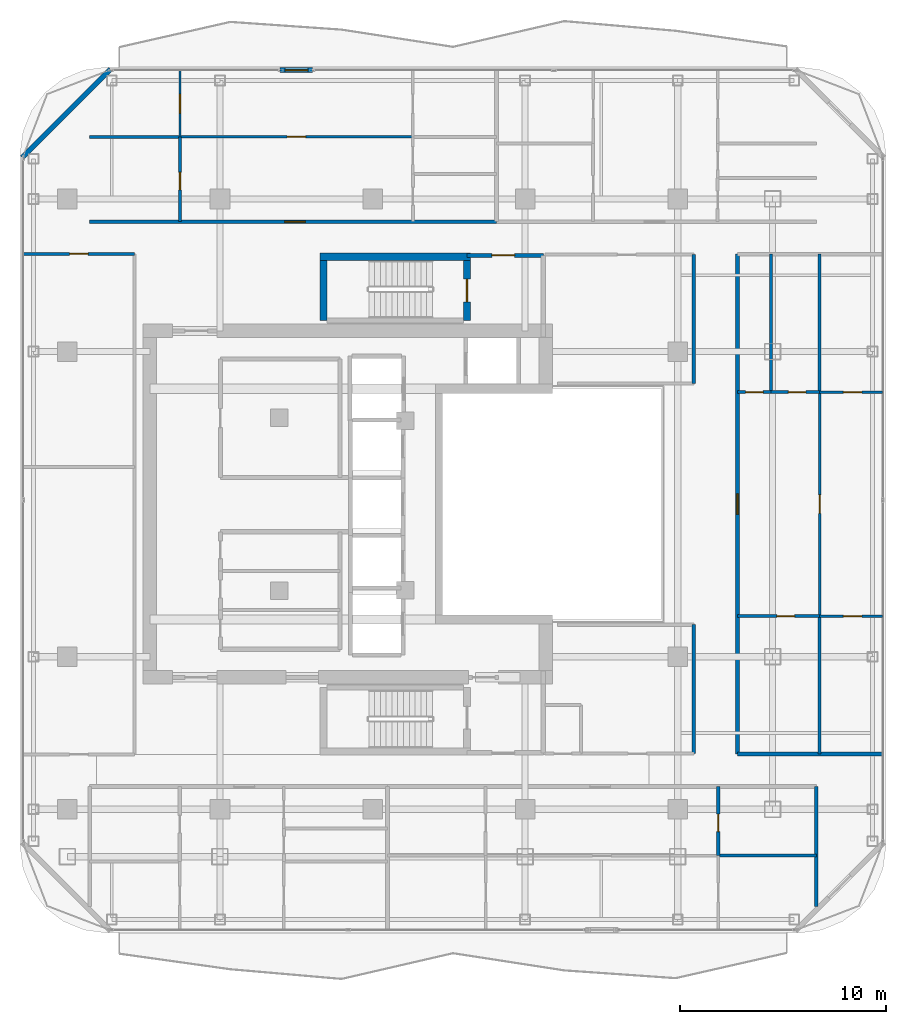
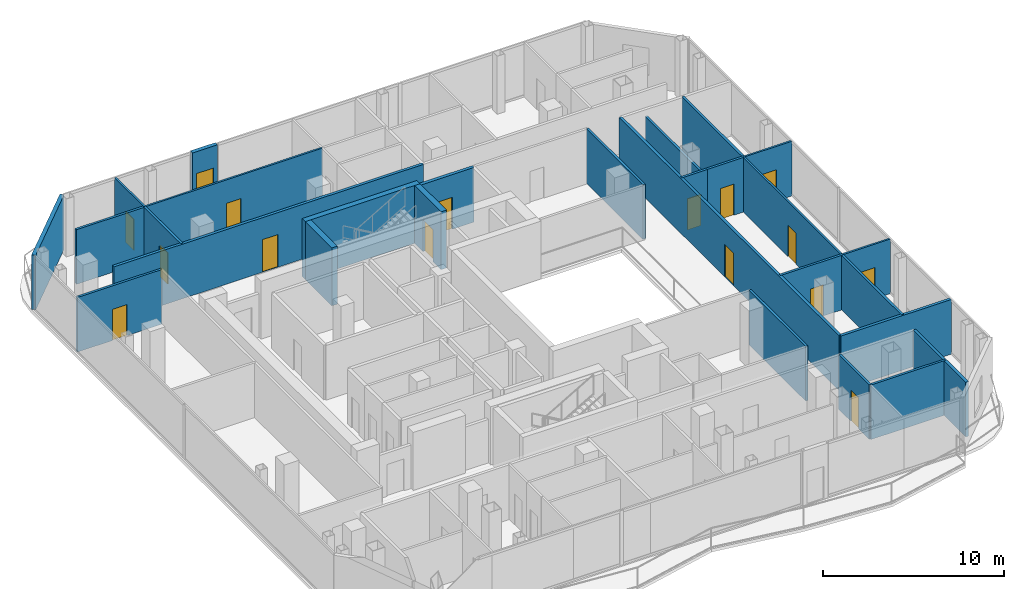
# One storey, part 18 of 22: 28 walls, 16 doors, 16 openings.
"""IFC4 building model written with IfcOpenShell, lengths in metres."""

from ifc_helpers import new_model, si_unit, direction, frame, frame_2d, origin, place, context, subcontext, project, spatial, rectangle, extrude, material, layer, layer_set, type_object, element, fill, save


model = new_model("IFC4")

# Units and contexts
model_context = context("Model", 3, precision=1e-05, world=origin(), true_north=direction((0.0, 1.0)))
body_context = subcontext(model_context, "Body", "Model", "MODEL_VIEW")
ifc_project = project(units=[si_unit("LENGTHUNIT", "METRE"), si_unit("AREAUNIT", "SQUARE_METRE"), si_unit("VOLUMEUNIT", "CUBIC_METRE"), si_unit("PLANEANGLEUNIT", "RADIAN"), si_unit("MASSUNIT", "GRAM", prefix="KILO")], contexts=[model_context])

# Site, building, storey
site_placement = place(None, origin())
site = spatial("IfcSite", under=ifc_project, at=site_placement, CompositionType="ELEMENT")
building_placement = place(site_placement, origin())
building = spatial("IfcBuilding", under=site, at=building_placement, Name="Khorvyn Point Tower", CompositionType="ELEMENT")
storey_placement = place(building_placement, frame((0.0, 0.0, 278.10009765625)))
storey = spatial("IfcBuildingStorey", under=building, at=storey_placement, Name="L68", CompositionType="ELEMENT", Elevation=278.10009765625)

# Wall, opening, door
ifc_material_1 = material(Name="Double acoustic gypsum on twin steel stud", Category="steel")
ifc_layer_1 = layer(ifc_material_1, 0.179931640625)
ifc_layer_set_1 = layer_set([ifc_layer_1], Name="Acoustic Double-Stud Apartment Demising Wall 180")
wall_type_1 = type_object("IfcWallType", Name="Acoustic Double-Stud Apartment Demising Wall 180", PredefinedType="PARTITIONING", material=ifc_layer_set_1)
wall_1_placement = place(storey_placement, frame((-13.719970703125, 13.699951171875, 0.0), z_axis=(0.0, 0.0, 1.0), x_axis=(1.0, 0.0, 0.0)))
wall_1 = element("IfcWall", 1, at=wall_1_placement, inside=storey, type_object=wall_type_1, Name="Wall", PredefinedType="PARTITIONING", context=body_context, shape_type="SweptSolid", body=[
    extrude(rectangle(XDim=19.73388671875, YDim=0.179931640625, at=frame_2d((9.866943359375, 0.0))), origin(), (0.0, 0.0, 1.0), 3.679931640625),
])
opening_1_placement = place(wall_1_placement, frame((9.456298828125, 0.0, 0.0)))
opening_1 = element("IfcOpeningElement", 2, at=opening_1_placement, cuts=wall_1, Name="Opening ID-AP60", PredefinedType="OPENING", context=body_context, shape_type="SweptSolid", body=[
    extrude(rectangle(XDim=1.0, YDim=2.199951171875, at=frame_2d((0.5, 1.10009765625))), frame((0.0, 0.099853515625, 0.0), z_axis=(0.0, -1.0, 0.0), x_axis=(1.0, 0.0, 0.0)), (0.0, 0.0, 1.0), 0.199951171875),
])
ifc_material_2 = material(Name="Engineered hardwood fire-rated leaf", Category="wood")
door_type_1 = type_object("IfcDoorType", Name="Acoustic Solid-Core Timber Apartment Entrance Door 1000x2200", OperationType="NOTDEFINED", PredefinedType="DOOR", material=ifc_material_2)
door_1_placement = place(opening_1_placement, origin())
door_1 = element("IfcDoor", 3, at=door_1_placement, inside=storey, type_object=door_type_1, Name="Door", OperationType="SINGLE_SWING_LEFT", OverallHeight=2.199951171875, OverallWidth=1.0, PredefinedType="DOOR", context=body_context, shape_type="SweptSolid", body=[
    extrude(rectangle(XDim=1.0, YDim=2.199951171875, at=frame_2d((0.5, 1.10009765625))), frame((0.0, 0.02490234375, 0.0), z_axis=(0.0, -1.0, 0.0), x_axis=(1.0, 0.0, 0.0)), (0.0, 0.0, 1.0), 0.050048828125),
])
fill(opening_1, door_1)

wall_2_placement = place(storey_placement, frame((17.699951171875, -12.1201171875, 0.0), z_axis=(0.0, 0.0, 1.0), x_axis=(0.0, 1.0, 0.0)))
wall_2 = element("IfcWall", 4, at=wall_2_placement, inside=storey, type_object=wall_type_1, Name="Wall", PredefinedType="PARTITIONING", context=body_context, shape_type="SweptSolid", body=[
    extrude(rectangle(XDim=24.240234375, YDim=0.179931640625, at=frame_2d((12.1201171875, 0.0))), origin(), (0.0, 0.0, 1.0), 3.679931640625),
])
opening_2_placement = place(wall_2_placement, frame((11.6201171875, 0.0, 0.0)))
opening_2 = element("IfcOpeningElement", 5, at=opening_2_placement, cuts=wall_2, Name="Opening ID-AP60", PredefinedType="OPENING", context=body_context, shape_type="SweptSolid", body=[
    extrude(rectangle(XDim=1.0, YDim=2.199951171875, at=frame_2d((0.5, 1.10009765625))), frame((0.0, 0.099853515625, 0.0), z_axis=(0.0, -1.0, 0.0), x_axis=(1.0, 0.0, 0.0)), (0.0, 0.0, 1.0), 0.199951171875),
])
door_2_placement = place(opening_2_placement, origin())
door_2 = element("IfcDoor", 6, at=door_2_placement, inside=storey, type_object=door_type_1, Name="Door", OperationType="SINGLE_SWING_RIGHT", OverallHeight=2.199951171875, OverallWidth=1.0, PredefinedType="DOOR", context=body_context, shape_type="SweptSolid", body=[
    extrude(rectangle(XDim=1.0, YDim=2.199951171875, at=frame_2d((0.5, 1.10009765625))), frame((0.0, 0.02490234375, 0.0), z_axis=(0.0, -1.0, 0.0), x_axis=(1.0, 0.0, 0.0)), (0.0, 0.0, 1.0), 0.050048828125),
])
fill(opening_2, door_2)

# Walls
wall_3_placement = place(storey_placement, frame((21.52001953125, -19.510009765625, 0.0), z_axis=(0.0, 0.0, 1.0), x_axis=(0.0, 1.0, 0.0)))
element("IfcWall", 7, at=wall_3_placement, inside=storey, type_object=wall_type_1, Name="Wall", PredefinedType="PARTITIONING", context=body_context, shape_type="SweptSolid", body=[
    extrude(rectangle(XDim=5.81005859375, YDim=0.179931640625, at=frame_2d((2.905029296875, 0.0))), origin(), (0.0, 0.0, 1.0), 3.679931640625),
])
wall_4_placement = place(storey_placement, frame((17.699951171875, -12.1201171875, 0.0), z_axis=(0.0, 0.0, 1.0), x_axis=(1.0, 0.0, 0.0)))
element("IfcWall", 8, at=wall_4_placement, inside=storey, type_object=wall_type_1, Name="Wall", PredefinedType="PARTITIONING", context=body_context, shape_type="SweptSolid", body=[
    extrude(rectangle(XDim=7.030029296875, YDim=0.179931640625, at=frame_2d((3.51513671875, 0.0))), origin(), (0.0, 0.0, 1.0), 3.679931640625),
])

# Wall, opening, door
ifc_material_3 = material(Name="Pale anodised aluminium rainscreen on steel stud", Category="steel")
ifc_layer_2 = layer(ifc_material_3, 0.239990234375)
ifc_layer_set_2 = layer_set([ifc_layer_2], Name="Anodised Aluminium Insulated Corner Spandrel Wall 240")
wall_type_2 = type_object("IfcWallType", Name="Anodised Aluminium Insulated Corner Spandrel Wall 240", PredefinedType="SOLIDWALL", material=ifc_layer_set_2)
wall_5_placement = place(storey_placement, frame((-4.48291015625, 21.050048828125, 0.0), z_axis=(0.0, 0.0, 1.0), x_axis=(1.0, 0.0, 0.0)))
wall_5 = element("IfcWall", 9, at=wall_5_placement, inside=storey, type_object=wall_type_2, Name="L68 North Outdoor Threshold Wall", PredefinedType="SOLIDWALL", context=body_context, shape_type="SweptSolid", body=[
    extrude(rectangle(XDim=1.579833984375, YDim=0.239990234375, at=frame_2d((0.7900390625, 0.0))), origin(), (0.0, 0.0, 1.0), 3.679931640625),
])
opening_3_placement = place(wall_5_placement, frame((0.239990234375, 0.0, 0.0)))
opening_3 = element("IfcOpeningElement", 10, at=opening_3_placement, cuts=wall_5, Name="Opening BD-1122", PredefinedType="OPENING", context=body_context, shape_type="SweptSolid", body=[
    extrude(rectangle(XDim=1.10009765625, YDim=2.199951171875, at=frame_2d((0.550048828125, 1.10009765625))), frame((0.0, 0.1298828125, 0.0), z_axis=(0.0, -1.0, 0.0), x_axis=(1.0, 0.0, 0.0)), (0.0, 0.0, 1.0), 0.260009765625),
])
ifc_material_4 = material(Name="Anodised aluminium 6063-T6 and laminated Low-E glass", Category="aluminium")
door_type_2 = type_object("IfcDoorType", Name="Glazed Balcony and Terrace Threshold Door 1100x2200", OperationType="NOTDEFINED", PredefinedType="DOOR", material=ifc_material_4)
door_3_placement = place(opening_3_placement, origin())
door_3 = element("IfcDoor", 11, at=door_3_placement, inside=storey, type_object=door_type_2, Name="L68 North Glazed Balcony Outdoor Door", OperationType="SINGLE_SWING_LEFT", OverallHeight=2.199951171875, OverallWidth=1.10009765625, PredefinedType="DOOR", context=body_context, shape_type="SweptSolid", body=[
    extrude(rectangle(XDim=1.10009765625, YDim=2.199951171875, at=frame_2d((0.550048828125, 1.10009765625))), frame((0.0, 0.02490234375, 0.0), z_axis=(0.0, -1.0, 0.0), x_axis=(1.0, 0.0, 0.0)), (0.0, 0.0, 1.0), 0.050048828125),
])
fill(opening_3, door_3)

# Wall
wall_6_placement = place(storey_placement, frame((-16.992431640625, 16.8076171875, 0.0), z_axis=(0.0, 0.0, 1.0), x_axis=(0.707126925818, 0.707086635981, 0.0)))
element("IfcWall", 12, at=wall_6_placement, inside=storey, type_object=wall_type_2, Name="L68 Rounded Corner Wall NW", PredefinedType="SOLIDWALL", context=body_context, shape_type="SweptSolid", body=[
    extrude(rectangle(XDim=6.0595703125, YDim=0.239990234375, at=frame_2d((3.02978515625, 0.0))), origin(), (0.0, 0.0, 1.0), 3.679931640625),
])

# Wall, opening, door
ifc_material_5 = material(Name="Concrete C40/50", Category="concrete")
ifc_layer_3 = layer(ifc_material_5, 0.199951171875)
ifc_layer_set_3 = layer_set([ifc_layer_3], Name="Concrete C40/50 Fire-Lobby Compartment Wall 200")
wall_type_3 = type_object("IfcWallType", Name="Concrete C40/50 Fire-Lobby Compartment Wall 200", PredefinedType="SOLIDWALL", material=ifc_layer_set_3)
wall_7_placement = place(storey_placement, frame((4.580078125, 12.06005859375, 0.0), z_axis=(0.0, 0.0, 1.0), x_axis=(1.0, 0.0, 0.0)))
wall_7 = element("IfcWall", 13, at=wall_7_placement, inside=storey, type_object=wall_type_3, Name="Wall", PredefinedType="SOLIDWALL", context=body_context, shape_type="SweptSolid", body=[
    extrude(rectangle(XDim=3.699951171875, YDim=0.199951171875, at=frame_2d((1.85009765625, 0.0))), origin(), (0.0, 0.0, 1.0), 3.679931640625),
])
opening_4_placement = place(wall_7_placement, frame((1.21240234375, 0.0, 0.0)))
opening_4 = element("IfcOpeningElement", 14, at=opening_4_placement, cuts=wall_7, Name="Opening ID-FL90", PredefinedType="OPENING", context=body_context, shape_type="SweptSolid", body=[
    extrude(rectangle(XDim=1.10009765625, YDim=2.14990234375, at=frame_2d((0.550048828125, 1.074951171875))), frame((0.0, 0.10986328125, 0.0), z_axis=(0.0, -1.0, 0.0), x_axis=(1.0, 0.0, 0.0)), (0.0, 0.0, 1.0), 0.219970703125),
])
ifc_material_6 = material(Name="Galvanised powder-coated steel", Category="steel")
door_type_3 = type_object("IfcDoorType", Name="Fire-Rated Steel Lobby and Stair Door 1100x2150", OperationType="NOTDEFINED", PredefinedType="DOOR", material=ifc_material_6)
door_4_placement = place(opening_4_placement, origin())
door_4 = element("IfcDoor", 15, at=door_4_placement, inside=storey, type_object=door_type_3, Name="Door", OperationType="SINGLE_SWING_LEFT", OverallHeight=2.14990234375, OverallWidth=1.10009765625, PredefinedType="DOOR", context=body_context, shape_type="SweptSolid", body=[
    extrude(rectangle(XDim=1.10009765625, YDim=2.14990234375, at=frame_2d((0.550048828125, 1.074951171875))), frame((0.0, 0.02490234375, 0.0), z_axis=(0.0, -1.0, 0.0), x_axis=(1.0, 0.0, 0.0)), (0.0, 0.0, 1.0), 0.050048828125),
])
fill(opening_4, door_4)

# Walls
ifc_layer_4 = layer(ifc_material_5, 0.35009765625)
ifc_layer_set_4 = layer_set([ifc_layer_4], Name="Concrete C40/50 Stair Shaft Structural Wall 350")
wall_type_4 = type_object("IfcWallType", Name="Concrete C40/50 Stair Shaft Structural Wall 350", PredefinedType="SHEAR", material=ifc_layer_set_4)
wall_8_placement = place(storey_placement, frame((-2.554931640625, 12.0, 0.0), z_axis=(0.0, 0.0, 1.0), x_axis=(1.0, 0.0, 0.0)))
element("IfcWall", 16, at=wall_8_placement, inside=storey, type_object=wall_type_4, Name="L68 ST-02 North Shaft Wall", PredefinedType="SHEAR", context=body_context, shape_type="SweptSolid", body=[
    extrude(rectangle(XDim=7.309814453125, YDim=0.35009765625, at=frame_2d((3.65478515625, 0.0))), origin(), (0.0, 0.0, 1.0), 3.89990234375),
])
wall_9_placement = place(storey_placement, frame((-2.3798828125, 8.89990234375, 0.0), z_axis=(0.0, 0.0, 1.0), x_axis=(0.0, 1.0, 0.0)))
element("IfcWall", 17, at=wall_9_placement, inside=storey, type_object=wall_type_4, Name="L68 ST-02 West Shaft Wall", PredefinedType="SHEAR", context=body_context, shape_type="SweptSolid", body=[
    extrude(rectangle(XDim=2.925048828125, YDim=0.35009765625, at=frame_2d((1.46240234375, 0.0))), origin(), (0.0, 0.0, 1.0), 3.89990234375),
])

# Wall, opening, door
wall_10_placement = place(storey_placement, frame((4.580078125, 11.824951171875, 0.0), z_axis=(0.0, 0.0, 1.0), x_axis=(0.0, -1.0, 0.0)))
wall_10 = element("IfcWall", 18, at=wall_10_placement, inside=storey, type_object=wall_type_4, Name="L68 ST-02 East Landing Door Wall", PredefinedType="SHEAR", context=body_context, shape_type="SweptSolid", body=[
    extrude(rectangle(XDim=2.925048828125, YDim=0.35009765625, at=frame_2d((1.46240234375, 0.0))), origin(), (0.0, 0.0, 1.0), 3.89990234375),
])
opening_5_placement = place(wall_10_placement, frame((0.91259765625, 0.0, 0.0)))
opening_5 = element("IfcOpeningElement", 19, at=opening_5_placement, cuts=wall_10, Name="Opening ID-FL90", PredefinedType="OPENING", context=body_context, shape_type="SweptSolid", body=[
    extrude(rectangle(XDim=1.10009765625, YDim=2.14990234375, at=frame_2d((0.550048828125, 1.074951171875))), frame((0.0, 0.18505859375, 0.0), z_axis=(0.0, -1.0, 0.0), x_axis=(1.0, 0.0, 0.0)), (0.0, 0.0, 1.0), 0.3701171875),
])
door_5_placement = place(opening_5_placement, origin())
door_5 = element("IfcDoor", 20, at=door_5_placement, inside=storey, type_object=door_type_3, Name="L68 ST-02 Smokeproof Landing Door", OperationType="SINGLE_SWING_LEFT", OverallHeight=2.14990234375, OverallWidth=1.10009765625, PredefinedType="DOOR", context=body_context, shape_type="SweptSolid", body=[
    extrude(rectangle(XDim=1.10009765625, YDim=2.14990234375, at=frame_2d((0.550048828125, 1.074951171875))), frame((0.0, 0.02490234375, 0.0), z_axis=(0.0, -1.0, 0.0), x_axis=(1.0, 0.0, 0.0)), (0.0, 0.0, 1.0), 0.050048828125),
])
fill(opening_5, door_5)

ifc_material_7 = material(Name="Gypsum plasterboard on steel stud", Category="steel")
ifc_layer_5 = layer(ifc_material_7, 0.1201171875)
ifc_layer_set_5 = layer_set([ifc_layer_5], Name="Gypsum Acoustic Stud Room Partition Wall 120")
wall_type_5 = type_object("IfcWallType", Name="Gypsum Acoustic Stud Room Partition Wall 120", PredefinedType="PARTITIONING", material=ifc_layer_set_5)
wall_11_placement = place(storey_placement, frame((-9.340087890625, 17.81005859375, 0.0), z_axis=(0.0, 0.0, 1.0), x_axis=(1.0, 0.0, 0.0)))
wall_11 = element("IfcWall", 21, at=wall_11_placement, inside=storey, type_object=wall_type_5, Name="Wall", PredefinedType="PARTITIONING", context=body_context, shape_type="SweptSolid", body=[
    extrude(rectangle(XDim=11.29296875, YDim=0.1201171875, at=frame_2d((5.646484375, 0.0))), origin(), (0.0, 0.0, 1.0), 3.679931640625),
])
opening_6_placement = place(wall_11_placement, frame((5.196533203125, 0.0, 0.0)))
opening_6 = element("IfcOpeningElement", 22, at=opening_6_placement, cuts=wall_11, Name="Opening ID-RM90", PredefinedType="OPENING", context=body_context, shape_type="SweptSolid", body=[
    extrude(rectangle(XDim=0.89990234375, YDim=2.10009765625, at=frame_2d((0.449951171875, 1.050048828125))), frame((0.0, 0.070068359375, 0.0), z_axis=(0.0, -1.0, 0.0), x_axis=(1.0, 0.0, 0.0)), (0.0, 0.0, 1.0), 0.14013671875),
])
ifc_material_8 = material(Name="Engineered oak veneer timber", Category="wood")
door_type_4 = type_object("IfcDoorType", Name="Flush Engineered Timber Room Door 900x2100", OperationType="NOTDEFINED", PredefinedType="DOOR", material=ifc_material_8)
door_6_placement = place(opening_6_placement, origin())
door_6 = element("IfcDoor", 23, at=door_6_placement, inside=storey, type_object=door_type_4, Name="Door", OperationType="SINGLE_SWING_RIGHT", OverallHeight=2.10009765625, OverallWidth=0.89990234375, PredefinedType="DOOR", context=body_context, shape_type="SweptSolid", body=[
    extrude(rectangle(XDim=0.89990234375, YDim=2.10009765625, at=frame_2d((0.449951171875, 1.050048828125))), frame((0.0, 0.02490234375, 0.0), z_axis=(0.0, -1.0, 0.0), x_axis=(1.0, 0.0, 0.0)), (0.0, 0.0, 1.0), 0.050048828125),
])
fill(opening_6, door_6)

wall_12_placement = place(storey_placement, frame((-9.340087890625, 17.81005859375, 0.0), z_axis=(0.0, 0.0, 1.0), x_axis=(0.0, 1.0, 0.0)))
wall_12 = element("IfcWall", 24, at=wall_12_placement, inside=storey, type_object=wall_type_5, Name="Wall", PredefinedType="PARTITIONING", context=body_context, shape_type="SweptSolid", body=[
    extrude(rectangle(XDim=3.219970703125, YDim=0.1201171875, at=frame_2d((1.60986328125, 0.0))), origin(), (0.0, 0.0, 1.0), 3.679931640625),
])
opening_7_placement = place(wall_12_placement, frame((1.159912109375, 0.0, 0.0)))
opening_7 = element("IfcOpeningElement", 25, at=opening_7_placement, cuts=wall_12, Name="Opening ID-RM90", PredefinedType="OPENING", context=body_context, shape_type="SweptSolid", body=[
    extrude(rectangle(XDim=0.89990234375, YDim=2.10009765625, at=frame_2d((0.449951171875, 1.050048828125))), frame((0.0, 0.070068359375, 0.0), z_axis=(0.0, -1.0, 0.0), x_axis=(1.0, 0.0, 0.0)), (0.0, 0.0, 1.0), 0.14013671875),
])
door_7_placement = place(opening_7_placement, origin())
door_7 = element("IfcDoor", 26, at=door_7_placement, inside=storey, type_object=door_type_4, Name="Door", OperationType="SINGLE_SWING_RIGHT", OverallHeight=2.10009765625, OverallWidth=0.89990234375, PredefinedType="DOOR", context=body_context, shape_type="SweptSolid", body=[
    extrude(rectangle(XDim=0.89990234375, YDim=2.10009765625, at=frame_2d((0.449951171875, 1.050048828125))), frame((0.0, 0.02490234375, 0.0), z_axis=(0.0, -1.0, 0.0), x_axis=(1.0, 0.0, 0.0)), (0.0, 0.0, 1.0), 0.050048828125),
])
fill(opening_7, door_7)

wall_13_placement = place(storey_placement, frame((21.677978515625, -5.430908203125, 0.0), z_axis=(0.0, 0.0, 1.0), x_axis=(0.0, 1.0, 0.0)))
wall_13 = element("IfcWall", 27, at=wall_13_placement, inside=storey, type_object=wall_type_5, Name="Wall", PredefinedType="PARTITIONING", context=body_context, shape_type="SweptSolid", body=[
    extrude(rectangle(XDim=10.86181640625, YDim=0.1201171875, at=frame_2d((5.430908203125, 0.0))), origin(), (0.0, 0.0, 1.0), 3.679931640625),
])
opening_8_placement = place(wall_13_placement, frame((4.98095703125, 0.0, 0.0)))
opening_8 = element("IfcOpeningElement", 28, at=opening_8_placement, cuts=wall_13, Name="Opening ID-RM90", PredefinedType="OPENING", context=body_context, shape_type="SweptSolid", body=[
    extrude(rectangle(XDim=0.89990234375, YDim=2.10009765625, at=frame_2d((0.449951171875, 1.050048828125))), frame((0.0, 0.070068359375, 0.0), z_axis=(0.0, -1.0, 0.0), x_axis=(1.0, 0.0, 0.0)), (0.0, 0.0, 1.0), 0.14013671875),
])
door_8_placement = place(opening_8_placement, origin())
door_8 = element("IfcDoor", 29, at=door_8_placement, inside=storey, type_object=door_type_4, Name="Door", OperationType="SINGLE_SWING_LEFT", OverallHeight=2.10009765625, OverallWidth=0.89990234375, PredefinedType="DOOR", context=body_context, shape_type="SweptSolid", body=[
    extrude(rectangle(XDim=0.89990234375, YDim=2.10009765625, at=frame_2d((0.449951171875, 1.050048828125))), frame((0.0, 0.02490234375, 0.0), z_axis=(0.0, -1.0, 0.0), x_axis=(1.0, 0.0, 0.0)), (0.0, 0.0, 1.0), 0.050048828125),
])
fill(opening_8, door_8)

wall_14_placement = place(storey_placement, frame((21.677978515625, -5.430908203125, 0.0), z_axis=(0.0, 0.0, 1.0), x_axis=(1.0, 0.0, 0.0)))
wall_14 = element("IfcWall", 30, at=wall_14_placement, inside=storey, type_object=wall_type_5, Name="Wall", PredefinedType="PARTITIONING", context=body_context, shape_type="SweptSolid", body=[
    extrude(rectangle(XDim=3.052001953125, YDim=0.1201171875, at=frame_2d((1.52587890625, 0.0))), origin(), (0.0, 0.0, 1.0), 3.679931640625),
])
opening_9_placement = place(wall_14_placement, frame((1.1591796875, 0.0, 0.0)))
opening_9 = element("IfcOpeningElement", 31, at=opening_9_placement, cuts=wall_14, Name="Opening ID-RM90", PredefinedType="OPENING", context=body_context, shape_type="SweptSolid", body=[
    extrude(rectangle(XDim=0.89990234375, YDim=2.10009765625, at=frame_2d((0.449951171875, 1.050048828125))), frame((0.0, 0.070068359375, 0.0), z_axis=(0.0, -1.0, 0.0), x_axis=(1.0, 0.0, 0.0)), (0.0, 0.0, 1.0), 0.14013671875),
])
door_9_placement = place(opening_9_placement, origin())
door_9 = element("IfcDoor", 32, at=door_9_placement, inside=storey, type_object=door_type_4, Name="Door", OperationType="SINGLE_SWING_LEFT", OverallHeight=2.10009765625, OverallWidth=0.89990234375, PredefinedType="DOOR", context=body_context, shape_type="SweptSolid", body=[
    extrude(rectangle(XDim=0.89990234375, YDim=2.10009765625, at=frame_2d((0.449951171875, 1.050048828125))), frame((0.0, 0.02490234375, 0.0), z_axis=(0.0, -1.0, 0.0), x_axis=(1.0, 0.0, 0.0)), (0.0, 0.0, 1.0), 0.050048828125),
])
fill(opening_9, door_9)

wall_15_placement = place(storey_placement, frame((21.677978515625, 5.430908203125, 0.0), z_axis=(0.0, 0.0, 1.0), x_axis=(1.0, 0.0, 0.0)))
wall_15 = element("IfcWall", 33, at=wall_15_placement, inside=storey, type_object=wall_type_5, Name="Wall", PredefinedType="PARTITIONING", context=body_context, shape_type="SweptSolid", body=[
    extrude(rectangle(XDim=3.052001953125, YDim=0.1201171875, at=frame_2d((1.52587890625, 0.0))), origin(), (0.0, 0.0, 1.0), 3.679931640625),
])
opening_10_placement = place(wall_15_placement, frame((1.1591796875, 0.0, 0.0)))
opening_10 = element("IfcOpeningElement", 34, at=opening_10_placement, cuts=wall_15, Name="Opening ID-RM90", PredefinedType="OPENING", context=body_context, shape_type="SweptSolid", body=[
    extrude(rectangle(XDim=0.89990234375, YDim=2.10009765625, at=frame_2d((0.449951171875, 1.050048828125))), frame((0.0, 0.070068359375, 0.0), z_axis=(0.0, -1.0, 0.0), x_axis=(1.0, 0.0, 0.0)), (0.0, 0.0, 1.0), 0.14013671875),
])
door_10_placement = place(opening_10_placement, origin())
door_10 = element("IfcDoor", 35, at=door_10_placement, inside=storey, type_object=door_type_4, Name="Door", OperationType="SINGLE_SWING_RIGHT", OverallHeight=2.10009765625, OverallWidth=0.89990234375, PredefinedType="DOOR", context=body_context, shape_type="SweptSolid", body=[
    extrude(rectangle(XDim=0.89990234375, YDim=2.10009765625, at=frame_2d((0.449951171875, 1.050048828125))), frame((0.0, 0.02490234375, 0.0), z_axis=(0.0, -1.0, 0.0), x_axis=(1.0, 0.0, 0.0)), (0.0, 0.0, 1.0), 0.050048828125),
])
fill(opening_10, door_10)

ifc_material_9 = material(Name="Moisture-resistant gypsum and cement board", Category="gypsum")
ifc_layer_6 = layer(ifc_material_9, 0.14990234375)
ifc_layer_set_6 = layer_set([ifc_layer_6], Name="Moisture-Resistant Wet-Room Partition Wall 150")
wall_type_6 = type_object("IfcWallType", Name="Moisture-Resistant Wet-Room Partition Wall 150", PredefinedType="PARTITIONING", material=ifc_layer_set_6)
wall_16_placement = place(storey_placement, frame((-9.340087890625, 13.699951171875, 0.0), z_axis=(0.0, 0.0, 1.0), x_axis=(0.0, 1.0, 0.0)))
wall_16 = element("IfcWall", 36, at=wall_16_placement, inside=storey, type_object=wall_type_6, Name="Wall", PredefinedType="PARTITIONING", context=body_context, shape_type="SweptSolid", body=[
    extrude(rectangle(XDim=4.110107421875, YDim=0.14990234375, at=frame_2d((2.05517578125, 0.0))), origin(), (0.0, 0.0, 1.0), 3.679931640625),
])
opening_11_placement = place(wall_16_placement, frame((1.54345703125, 0.0, 0.0)))
opening_11 = element("IfcOpeningElement", 37, at=opening_11_placement, cuts=wall_16, Name="Opening ID-WC85", PredefinedType="OPENING", context=body_context, shape_type="SweptSolid", body=[
    extrude(rectangle(XDim=0.85009765625, YDim=2.10009765625, at=frame_2d((0.425048828125, 1.050048828125))), frame((0.0, 0.0849609375, 0.0), z_axis=(0.0, -1.0, 0.0), x_axis=(1.0, 0.0, 0.0)), (0.0, 0.0, 1.0), 0.169921875),
])
ifc_material_10 = material(Name="High-pressure laminate on moisture-resistant core", Category="wood")
door_type_5 = type_object("IfcDoorType", Name="Moisture-Resistant Accessible Washroom Door 850x2100", OperationType="NOTDEFINED", PredefinedType="DOOR", material=ifc_material_10)
door_11_placement = place(opening_11_placement, origin())
door_11 = element("IfcDoor", 38, at=door_11_placement, inside=storey, type_object=door_type_5, Name="Door", OperationType="SINGLE_SWING_LEFT", OverallHeight=2.10009765625, OverallWidth=0.85009765625, PredefinedType="DOOR", context=body_context, shape_type="SweptSolid", body=[
    extrude(rectangle(XDim=0.85009765625, YDim=2.10009765625, at=frame_2d((0.425048828125, 1.050048828125))), frame((0.0, 0.02490234375, 0.0), z_axis=(0.0, -1.0, 0.0), x_axis=(1.0, 0.0, 0.0)), (0.0, 0.0, 1.0), 0.050048828125),
])
fill(opening_11, door_11)

wall_17_placement = place(storey_placement, frame((16.76806640625, -17.044921875, 0.0), z_axis=(0.0, 0.0, 1.0), x_axis=(0.0, 1.0, 0.0)))
wall_17 = element("IfcWall", 39, at=wall_17_placement, inside=storey, type_object=wall_type_6, Name="Wall", PredefinedType="PARTITIONING", context=body_context, shape_type="SweptSolid", body=[
    extrude(rectangle(XDim=3.344970703125, YDim=0.14990234375, at=frame_2d((1.67236328125, 0.0))), origin(), (0.0, 0.0, 1.0), 3.679931640625),
])
opening_12_placement = place(wall_17_placement, frame((1.163818359375, 0.0, 0.0)))
opening_12 = element("IfcOpeningElement", 40, at=opening_12_placement, cuts=wall_17, Name="Opening ID-WC85", PredefinedType="OPENING", context=body_context, shape_type="SweptSolid", body=[
    extrude(rectangle(XDim=0.85009765625, YDim=2.10009765625, at=frame_2d((0.425048828125, 1.050048828125))), frame((0.0, 0.0849609375, 0.0), z_axis=(0.0, -1.0, 0.0), x_axis=(1.0, 0.0, 0.0)), (0.0, 0.0, 1.0), 0.169921875),
])
door_12_placement = place(opening_12_placement, origin())
door_12 = element("IfcDoor", 41, at=door_12_placement, inside=storey, type_object=door_type_5, Name="Door", OperationType="SINGLE_SWING_RIGHT", OverallHeight=2.10009765625, OverallWidth=0.85009765625, PredefinedType="DOOR", context=body_context, shape_type="SweptSolid", body=[
    extrude(rectangle(XDim=0.85009765625, YDim=2.10009765625, at=frame_2d((0.425048828125, 1.050048828125))), frame((0.0, 0.02490234375, 0.0), z_axis=(0.0, -1.0, 0.0), x_axis=(1.0, 0.0, 0.0)), (0.0, 0.0, 1.0), 0.050048828125),
])
fill(opening_12, door_12)

wall_18_placement = place(storey_placement, frame((-16.929931640625, 12.139892578125, 0.0), z_axis=(0.0, 0.0, 1.0), x_axis=(1.0, 0.0, 0.0)))
wall_18 = element("IfcWall", 42, at=wall_18_placement, inside=storey, type_object=wall_type_6, Name="Wall", PredefinedType="PARTITIONING", context=body_context, shape_type="SweptSolid", body=[
    extrude(rectangle(XDim=5.3798828125, YDim=0.14990234375, at=frame_2d((2.68994140625, 0.0))), origin(), (0.0, 0.0, 1.0), 3.679931640625),
])
opening_13_placement = place(wall_18_placement, frame((2.239990234375, 0.0, 0.0)))
opening_13 = element("IfcOpeningElement", 43, at=opening_13_placement, cuts=wall_18, Name="Opening ID-RM90", PredefinedType="OPENING", context=body_context, shape_type="SweptSolid", body=[
    extrude(rectangle(XDim=0.89990234375, YDim=2.10009765625, at=frame_2d((0.449951171875, 1.050048828125))), frame((0.0, 0.0849609375, 0.0), z_axis=(0.0, -1.0, 0.0), x_axis=(1.0, 0.0, 0.0)), (0.0, 0.0, 1.0), 0.169921875),
])
door_13_placement = place(opening_13_placement, origin())
door_13 = element("IfcDoor", 44, at=door_13_placement, inside=storey, type_object=door_type_4, Name="Door", OperationType="SINGLE_SWING_LEFT", OverallHeight=2.10009765625, OverallWidth=0.89990234375, PredefinedType="DOOR", context=body_context, shape_type="SweptSolid", body=[
    extrude(rectangle(XDim=0.89990234375, YDim=2.10009765625, at=frame_2d((0.449951171875, 1.050048828125))), frame((0.0, 0.02490234375, 0.0), z_axis=(0.0, -1.0, 0.0), x_axis=(1.0, 0.0, 0.0)), (0.0, 0.0, 1.0), 0.050048828125),
])
fill(opening_13, door_13)

wall_19_placement = place(storey_placement, frame((17.699951171875, 5.430908203125, 0.0), z_axis=(0.0, 0.0, 1.0), x_axis=(1.0, 0.0, 0.0)))
wall_19 = element("IfcWall", 45, at=wall_19_placement, inside=storey, type_object=wall_type_6, Name="Wall", PredefinedType="PARTITIONING", context=body_context, shape_type="SweptSolid", body=[
    extrude(rectangle(XDim=1.631103515625, YDim=0.14990234375, at=frame_2d((0.8154296875, 0.0))), origin(), (0.0, 0.0, 1.0), 3.679931640625),
])
opening_14_placement = place(wall_19_placement, frame((0.390380859375, 0.0, 0.0)))
opening_14 = element("IfcOpeningElement", 46, at=opening_14_placement, cuts=wall_19, Name="Opening ID-WC85", PredefinedType="OPENING", context=body_context, shape_type="SweptSolid", body=[
    extrude(rectangle(XDim=0.85009765625, YDim=2.10009765625, at=frame_2d((0.425048828125, 1.050048828125))), frame((0.0, 0.0849609375, 0.0), z_axis=(0.0, -1.0, 0.0), x_axis=(1.0, 0.0, 0.0)), (0.0, 0.0, 1.0), 0.169921875),
])
door_14_placement = place(opening_14_placement, origin())
door_14 = element("IfcDoor", 47, at=door_14_placement, inside=storey, type_object=door_type_5, Name="Door", OperationType="SINGLE_SWING_RIGHT", OverallHeight=2.10009765625, OverallWidth=0.85009765625, PredefinedType="DOOR", context=body_context, shape_type="SweptSolid", body=[
    extrude(rectangle(XDim=0.85009765625, YDim=2.10009765625, at=frame_2d((0.425048828125, 1.050048828125))), frame((0.0, 0.02490234375, 0.0), z_axis=(0.0, -1.0, 0.0), x_axis=(1.0, 0.0, 0.0)), (0.0, 0.0, 1.0), 0.050048828125),
])
fill(opening_14, door_14)

wall_20_placement = place(storey_placement, frame((19.3310546875, 5.430908203125, 0.0), z_axis=(0.0, 0.0, 1.0), x_axis=(1.0, 0.0, 0.0)))
wall_20 = element("IfcWall", 48, at=wall_20_placement, inside=storey, type_object=wall_type_6, Name="Wall", PredefinedType="PARTITIONING", context=body_context, shape_type="SweptSolid", body=[
    extrude(rectangle(XDim=2.346923828125, YDim=0.14990234375, at=frame_2d((1.17333984375, 0.0))), origin(), (0.0, 0.0, 1.0), 3.679931640625),
])
opening_15_placement = place(wall_20_placement, frame((0.83251953125, 0.0, 0.0)))
opening_15 = element("IfcOpeningElement", 49, at=opening_15_placement, cuts=wall_20, Name="Opening ID-WC85", PredefinedType="OPENING", context=body_context, shape_type="SweptSolid", body=[
    extrude(rectangle(XDim=0.85009765625, YDim=2.10009765625, at=frame_2d((0.425048828125, 1.050048828125))), frame((0.0, 0.0849609375, 0.0), z_axis=(0.0, -1.0, 0.0), x_axis=(1.0, 0.0, 0.0)), (0.0, 0.0, 1.0), 0.169921875),
])
door_15_placement = place(opening_15_placement, origin())
door_15 = element("IfcDoor", 50, at=door_15_placement, inside=storey, type_object=door_type_5, Name="Door", OperationType="SINGLE_SWING_LEFT", OverallHeight=2.10009765625, OverallWidth=0.85009765625, PredefinedType="DOOR", context=body_context, shape_type="SweptSolid", body=[
    extrude(rectangle(XDim=0.85009765625, YDim=2.10009765625, at=frame_2d((0.425048828125, 1.050048828125))), frame((0.0, 0.02490234375, 0.0), z_axis=(0.0, -1.0, 0.0), x_axis=(1.0, 0.0, 0.0)), (0.0, 0.0, 1.0), 0.050048828125),
])
fill(opening_15, door_15)

wall_21_placement = place(storey_placement, frame((17.699951171875, -5.430908203125, 0.0), z_axis=(0.0, 0.0, 1.0), x_axis=(1.0, 0.0, 0.0)))
wall_21 = element("IfcWall", 51, at=wall_21_placement, inside=storey, type_object=wall_type_6, Name="Wall", PredefinedType="PARTITIONING", context=body_context, shape_type="SweptSolid", body=[
    extrude(rectangle(XDim=3.97802734375, YDim=0.14990234375, at=frame_2d((1.989013671875, 0.0))), origin(), (0.0, 0.0, 1.0), 3.679931640625),
])
opening_16_placement = place(wall_21_placement, frame((1.9150390625, 0.0, 0.0)))
opening_16 = element("IfcOpeningElement", 52, at=opening_16_placement, cuts=wall_21, Name="Opening ID-WC85", PredefinedType="OPENING", context=body_context, shape_type="SweptSolid", body=[
    extrude(rectangle(XDim=0.85009765625, YDim=2.10009765625, at=frame_2d((0.425048828125, 1.050048828125))), frame((0.0, 0.0849609375, 0.0), z_axis=(0.0, -1.0, 0.0), x_axis=(1.0, 0.0, 0.0)), (0.0, 0.0, 1.0), 0.169921875),
])
door_16_placement = place(opening_16_placement, origin())
door_16 = element("IfcDoor", 53, at=door_16_placement, inside=storey, type_object=door_type_5, Name="Door", OperationType="SINGLE_SWING_RIGHT", OverallHeight=2.10009765625, OverallWidth=0.85009765625, PredefinedType="DOOR", context=body_context, shape_type="SweptSolid", body=[
    extrude(rectangle(XDim=0.85009765625, YDim=2.10009765625, at=frame_2d((0.425048828125, 1.050048828125))), frame((0.0, 0.02490234375, 0.0), z_axis=(0.0, -1.0, 0.0), x_axis=(1.0, 0.0, 0.0)), (0.0, 0.0, 1.0), 0.050048828125),
])
fill(opening_16, door_16)

# Walls
for number, where, z_axis, x_axis, name in (
    (54, (15.580078125, -12.10009765625, 0.0), (0.0, 0.0, 1.0), (0.0, 1.0, 0.0), "Wall"),
    (55, (15.580078125, 5.85009765625, 0.0), (0.0, 0.0, 1.0), (0.0, 1.0, 0.0), "Wall"),
):
    element("IfcWall", number, at=place(storey_placement, frame(where, z_axis=z_axis, x_axis=x_axis)), inside=storey, type_object=wall_type_6, Name=name, PredefinedType="PARTITIONING", context=body_context, shape_type="SweptSolid", body=[
        extrude(rectangle(XDim=6.25, YDim=0.14990234375, at=frame_2d((3.125, 0.0))), origin(), (0.0, 0.0, 1.0), 3.679931640625),
    ])
wall_22_placement = place(storey_placement, frame((-13.719970703125, 17.81005859375, 0.0), z_axis=(0.0, 0.0, 1.0), x_axis=(1.0, 0.0, 0.0)))
element("IfcWall", 56, at=wall_22_placement, inside=storey, type_object=wall_type_6, Name="Wall", PredefinedType="PARTITIONING", context=body_context, shape_type="SweptSolid", body=[
    extrude(rectangle(XDim=4.3798828125, YDim=0.14990234375, at=frame_2d((2.18994140625, 0.0))), origin(), (0.0, 0.0, 1.0), 3.679931640625),
])
wall_23_placement = place(storey_placement, frame((16.76806640625, -17.044921875, 0.0), z_axis=(0.0, 0.0, 1.0), x_axis=(1.0, 0.0, 0.0)))
element("IfcWall", 57, at=wall_23_placement, inside=storey, type_object=wall_type_6, Name="Wall", PredefinedType="PARTITIONING", context=body_context, shape_type="SweptSolid", body=[
    extrude(rectangle(XDim=4.751953125, YDim=0.14990234375, at=frame_2d((2.3759765625, 0.0))), origin(), (0.0, 0.0, 1.0), 3.679931640625),
])
wall_24_placement = place(storey_placement, frame((19.3310546875, 5.430908203125, 0.0), z_axis=(0.0, 0.0, 1.0), x_axis=(0.0, 1.0, 0.0)))
element("IfcWall", 58, at=wall_24_placement, inside=storey, type_object=wall_type_6, Name="Wall", PredefinedType="PARTITIONING", context=body_context, shape_type="SweptSolid", body=[
    extrude(rectangle(XDim=6.689208984375, YDim=0.14990234375, at=frame_2d((3.3447265625, 0.0))), origin(), (0.0, 0.0, 1.0), 3.181884765625),
])
for number, where, z_axis, x_axis, name in (
    (59, (21.677978515625, -12.1201171875, 0.0), (0.0, 0.0, 1.0), (0.0, 1.0, 0.0), "Wall"),
    (60, (21.677978515625, 5.430908203125, 0.0), (0.0, 0.0, 1.0), (0.0, 1.0, 0.0), "Wall"),
):
    element("IfcWall", number, at=place(storey_placement, frame(where, z_axis=z_axis, x_axis=x_axis)), inside=storey, type_object=wall_type_6, Name=name, PredefinedType="PARTITIONING", context=body_context, shape_type="SweptSolid", body=[
        extrude(rectangle(XDim=6.689208984375, YDim=0.14990234375, at=frame_2d((3.3447265625, 0.0))), origin(), (0.0, 0.0, 1.0), 3.679931640625),
    ])

save(model, "model.ifc")
